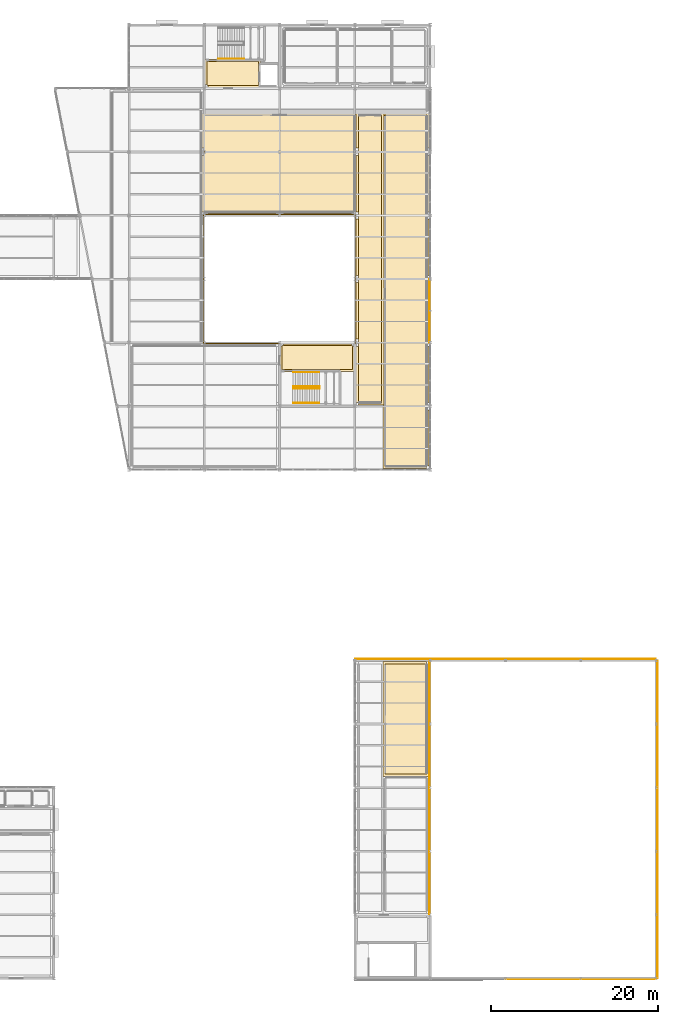
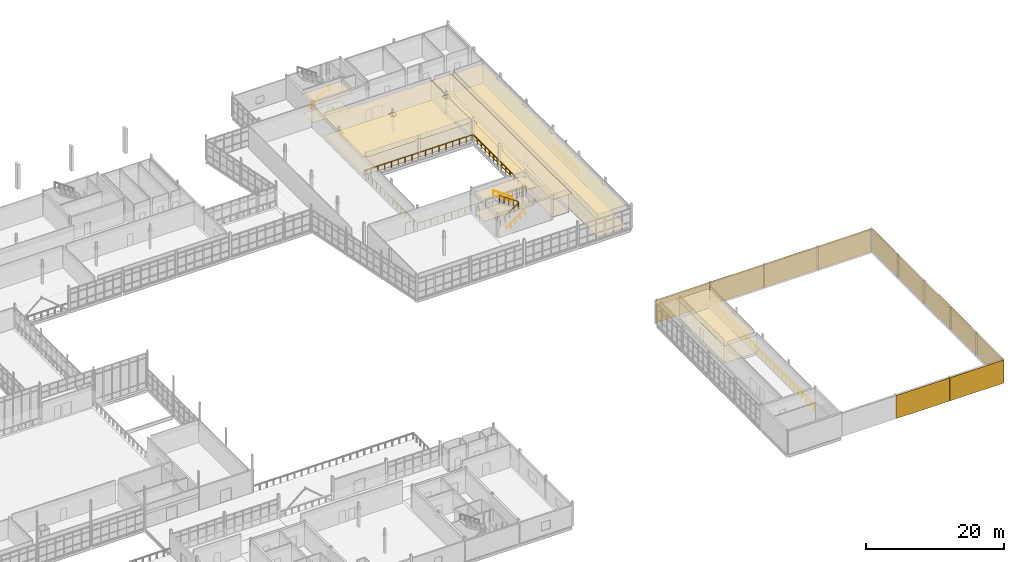
# One storey, part 165 of 166: 23 coverings, 7 railings.
"""IFC4 building model written with IfcOpenShell, lengths in metres."""

from ifc_helpers import new_model, si_unit, direction, frame, origin, origin_2d, place, context, subcontext, project, spatial, polyline, rectangle, circle, outline, extrude, material, layer, layer_set, type_object, element, save


model = new_model("IFC4")

# Units and contexts
model_context = context("Model", 3, precision=1e-05, world=origin(), true_north=direction((0.0, 1.0)))
body_context = subcontext(model_context, "Body", "Model", "MODEL_VIEW")
ifc_project = project(units=[si_unit("LENGTHUNIT", "METRE"), si_unit("AREAUNIT", "SQUARE_METRE"), si_unit("VOLUMEUNIT", "CUBIC_METRE"), si_unit("PLANEANGLEUNIT", "RADIAN"), si_unit("MASSUNIT", "GRAM", prefix="KILO")], contexts=[model_context])

# Site, building, storey
site_placement = place(None, origin())
site = spatial("IfcSite", under=ifc_project, at=site_placement, CompositionType="ELEMENT")
building_placement = place(site_placement, origin())
building = spatial("IfcBuilding", under=site, at=building_placement, Name="Caisbarro Railhouse Central Library", CompositionType="ELEMENT")
storey_placement = place(building_placement, frame((0.0, 0.0, 9.360107421875)))
storey = spatial("IfcBuildingStorey", under=building, at=storey_placement, Name="L02", CompositionType="ELEMENT", Elevation=9.360107421875)

# Coverings
ifc_material_1 = material(Name="Extruded architectural terracotta rainscreen", Category="masonry")
ifc_layer_1 = layer(ifc_material_1, 0.054931640625, Name="Extruded architectural terracotta rainscreen")
ifc_layer_set_1 = layer_set([ifc_layer_1], Name="Extruded architectural terracotta rainscreen")
covering_type_1 = type_object("IfcCoveringType", Name="CLD-TER01", PredefinedType="CLADDING", material=ifc_layer_set_1)
for number, where, z_axis, x_axis, name in (
    (1, (180.17138671875, 3.800048828125, 0.02978515625), (0.0, 0.0, 1.0), (0.0, 1.0, 0.0), "TER01 facade cladding L02-056"),
    (2, (180.17138671875, 11.39990234375, 0.02978515625), (0.0, 0.0, 1.0), (0.0, 1.0, 0.0), "TER01 facade cladding L02-057"),
    (3, (180.17138671875, 19.0, 0.02978515625), (0.0, 0.0, 1.0), (0.0, 1.0, 0.0), "TER01 facade cladding L02-058"),
    (4, (180.17138671875, 26.60009765625, 0.02978515625), (0.0, 0.0, 1.0), (0.0, 1.0, 0.0), "TER01 facade cladding L02-059"),
    (5, (180.17138671875, 34.199951171875, 0.02978515625), (0.0, 0.0, 1.0), (0.0, 1.0, 0.0), "TER01 facade cladding L02-060"),
):
    element("IfcCovering", number, at=place(storey_placement, frame(where, z_axis=z_axis, x_axis=x_axis)), inside=storey, type_object=covering_type_1, Name=name, PredefinedType="CLADDING", context=body_context, shape_type="SweptSolid", body=[
        extrude(rectangle(XDim=7.56005859375, YDim=0.054931640625, at=origin_2d()), origin(), (0.0, 0.0, 1.0), 4.080078125),
    ])
for number, where, z_axis, x_axis, name in (
    (6, (148.5, 38.17138671875, 0.02978515625), (0.0, 0.0, 1.0), (1.0, 0.0, 0.0), "TER01 facade cladding L02-062"),
    (7, (157.5, 38.17138671875, 0.02978515625), (0.0, 0.0, 1.0), (1.0, 0.0, 0.0), "TER01 facade cladding L02-064"),
    (8, (166.5, -0.17138671875, 0.02978515625), (0.0, 0.0, 1.0), (1.0, 0.0, 0.0), "TER01 facade cladding L02-065"),
    (9, (166.5, 38.17138671875, 0.02978515625), (0.0, 0.0, 1.0), (1.0, 0.0, 0.0), "TER01 facade cladding L02-066"),
    (10, (175.5, -0.17138671875, 0.02978515625), (0.0, 0.0, 1.0), (1.0, 0.0, 0.0), "TER01 facade cladding L02-067"),
    (11, (175.5, 38.17138671875, 0.02978515625), (0.0, 0.0, 1.0), (1.0, 0.0, 0.0), "TER01 facade cladding L02-068"),
):
    element("IfcCovering", number, at=place(storey_placement, frame(where, z_axis=z_axis, x_axis=x_axis)), inside=storey, type_object=covering_type_1, Name=name, PredefinedType="CLADDING", context=body_context, shape_type="SweptSolid", body=[
        extrude(rectangle(XDim=8.9599609375, YDim=0.054931640625, at=origin_2d()), origin(), (0.0, 0.0, 1.0), 4.080078125),
    ])
ifc_material_2 = material(Name="Perforated mineral-fibre acoustic ceiling tile")
ifc_layer_2 = layer(ifc_material_2, 0.01806640625, Name="Perforated mineral-fibre acoustic ceiling tile")
ifc_layer_set_2 = layer_set([ifc_layer_2], Name="Perforated mineral-fibre acoustic ceiling tile")
covering_type_2 = type_object("IfcCoveringType", Name="COV-CL01", PredefinedType="CEILING", material=ifc_layer_set_2)
covering_1_placement = place(storey_placement, frame((0.0, 0.0, 3.25)))
element("IfcCovering", 12, at=covering_1_placement, inside=storey, type_object=covering_type_2, Name="CL01 acoustic ceiling Lift Lobby K3", PredefinedType="CEILING", context=body_context, shape_type="SweptSolid", body=[
    extrude(outline(polyline([(126.0400390625, 109.860107421875), (132.7099609375, 109.860107421875), (132.7099609375, 106.489990234375), (126.43994140625, 106.489990234375), (126.43994140625, 106.840087890625), (126.0400390625, 106.840087890625), (126.0400390625, 109.860107421875)])), origin(), (0.0, 0.0, 1.0), 0.017822265625),
])
covering_2_placement = place(storey_placement, frame((0.0, 0.0, 3.25)))
element("IfcCovering", 13, at=covering_2_placement, inside=storey, type_object=covering_type_2, Name="CL01 acoustic ceiling Stair Lobby K7", PredefinedType="CEILING", context=body_context, shape_type="SweptSolid", body=[
    extrude(outline(polyline([(135.43994140625, 75.56005859375), (135.43994140625, 75.909912109375), (143.56005859375, 75.909912109375), (143.56005859375, 75.56005859375), (143.9599609375, 75.56005859375), (143.9599609375, 72.5400390625), (135.0400390625, 72.5400390625), (135.0400390625, 75.56005859375), (135.43994140625, 75.56005859375)])), origin(), (0.0, 0.0, 1.0), 0.017822265625),
])
covering_3_placement = place(storey_placement, frame((0.0, 0.0, 3.25)))
element("IfcCovering", 14, at=covering_3_placement, inside=storey, type_object=covering_type_2, Name="CL01 acoustic ceiling Collaborative Seminar Suite L02", PredefinedType="CEILING", context=body_context, shape_type="SweptSolid", body=[
    extrude(outline(polyline([(134.56005859375, 91.639892578125), (134.56005859375, 91.340087890625), (126.43994140625, 91.340087890625), (126.43994140625, 91.639892578125), (125.739990234375, 91.639892578125), (125.739990234375, 98.360107421875), (126.43994140625, 98.360107421875), (126.43994140625, 99.239990234375), (125.739990234375, 99.239990234375), (125.739990234375, 103.4599609375), (144.260009765625, 103.4599609375), (144.260009765625, 99.239990234375), (143.56005859375, 99.239990234375), (143.56005859375, 98.360107421875), (144.260009765625, 98.360107421875), (144.260009765625, 91.639892578125), (143.56005859375, 91.639892578125), (143.56005859375, 91.340087890625), (135.43994140625, 91.340087890625), (135.43994140625, 91.639892578125), (134.56005859375, 91.639892578125)]), holes=[polyline([(134.56005859375, 98.360107421875), (135.43994140625, 98.360107421875), (135.43994140625, 99.239990234375), (134.56005859375, 99.239990234375), (134.56005859375, 98.360107421875)])]), origin(), (0.0, 0.0, 1.0), 0.017822265625),
])
covering_4_placement = place(storey_placement, frame((0.0, 0.0, 3.25)))
element("IfcCovering", 15, at=covering_4_placement, inside=storey, type_object=covering_type_2, Name="CL01 acoustic ceiling Atrium East Corridor L02", PredefinedType="CEILING", context=body_context, shape_type="SweptSolid", body=[
    extrude(outline(polyline([(144.43994140625, 68.840087890625), (144.139892578125, 68.840087890625), (144.139892578125, 75.56005859375), (144.43994140625, 75.56005859375), (144.43994140625, 76.43994140625), (144.139892578125, 76.43994140625), (144.139892578125, 83.159912109375), (144.43994140625, 83.159912109375), (144.43994140625, 84.0400390625), (144.139892578125, 84.0400390625), (144.139892578125, 90.760009765625), (144.43994140625, 90.760009765625), (144.43994140625, 91.639892578125), (144.139892578125, 91.639892578125), (144.139892578125, 98.360107421875), (144.43994140625, 98.360107421875), (144.43994140625, 99.239990234375), (144.139892578125, 99.239990234375), (144.139892578125, 103.4599609375), (147.4599609375, 103.4599609375), (147.4599609375, 68.5400390625), (144.43994140625, 68.5400390625), (144.43994140625, 68.840087890625)])), origin(), (0.0, 0.0, 1.0), 0.017822265625),
])
covering_5_placement = place(storey_placement, frame((0.0, 0.0, 3.25)))
element("IfcCovering", 16, at=covering_5_placement, inside=storey, type_object=covering_type_2, Name="CL01 acoustic ceiling Individual Research Carrels L02", PredefinedType="CEILING", context=body_context, shape_type="SweptSolid", body=[
    extrude(outline(polyline([(152.860107421875, 75.56005859375), (152.860107421875, 68.840087890625), (152.56005859375, 68.840087890625), (152.56005859375, 67.9599609375), (152.860107421875, 67.9599609375), (152.860107421875, 61.239990234375), (152.56005859375, 61.239990234375), (152.56005859375, 60.93994140625), (147.340087890625, 60.93994140625), (147.340087890625, 103.4599609375), (152.860107421875, 103.4599609375), (152.860107421875, 99.239990234375), (152.56005859375, 99.239990234375), (152.56005859375, 98.360107421875), (152.860107421875, 98.360107421875), (152.860107421875, 91.639892578125), (152.56005859375, 91.639892578125), (152.56005859375, 90.760009765625), (152.860107421875, 90.760009765625), (152.860107421875, 84.0400390625), (152.56005859375, 84.0400390625), (152.56005859375, 83.159912109375), (152.860107421875, 83.159912109375), (152.860107421875, 76.43994140625), (152.56005859375, 76.43994140625), (152.56005859375, 75.56005859375), (152.860107421875, 75.56005859375)])), origin(), (0.0, 0.0, 1.0), 0.017822265625),
])
covering_6_placement = place(storey_placement, frame((0.0, 0.0, 3.25)))
element("IfcCovering", 17, at=covering_6_placement, inside=storey, type_object=covering_type_2, Name="CL01 acoustic ceiling Stage Lighting and Acoustic Control Room", PredefinedType="CEILING", context=body_context, shape_type="SweptSolid", body=[
    extrude(outline(polyline([(152.56005859375, 37.860107421875), (152.56005859375, 37.56005859375), (152.860107421875, 37.56005859375), (152.860107421875, 30.840087890625), (152.56005859375, 30.840087890625), (152.56005859375, 29.9599609375), (152.860107421875, 29.9599609375), (152.860107421875, 24.139892578125), (147.340087890625, 24.139892578125), (147.340087890625, 37.860107421875), (152.56005859375, 37.860107421875)])), origin(), (0.0, 0.0, 1.0), 0.017822265625),
])
ifc_material_3 = material(Name="Polished cementitious terrazzo flooring")
ifc_layer_3 = layer(ifc_material_3, 0.02197265625, Name="Polished cementitious terrazzo flooring")
ifc_layer_set_3 = layer_set([ifc_layer_3], Name="Polished cementitious terrazzo flooring")
covering_type_3 = type_object("IfcCoveringType", Name="COV-FL01", PredefinedType="FLOORING", material=ifc_layer_set_3)
covering_7_placement = place(storey_placement, origin())
element("IfcCovering", 18, at=covering_7_placement, inside=storey, type_object=covering_type_3, Name="FL01 flooring Lift Lobby K3", PredefinedType="FLOORING", context=body_context, shape_type="SweptSolid", body=[
    extrude(outline(polyline([(126.300048828125, 106.75), (132.449951171875, 106.75), (132.449951171875, 109.60009765625), (126.300048828125, 109.60009765625), (126.300048828125, 106.75)])), origin(), (0.0, 0.0, 1.0), 0.02197265625),
])
covering_8_placement = place(storey_placement, origin())
element("IfcCovering", 19, at=covering_8_placement, inside=storey, type_object=covering_type_3, Name="FL01 flooring Stair Lobby K7", PredefinedType="FLOORING", context=body_context, shape_type="SweptSolid", body=[
    extrude(outline(polyline([(135.300048828125, 72.800048828125), (143.699951171875, 72.800048828125), (143.699951171875, 75.64990234375), (135.300048828125, 75.64990234375), (135.300048828125, 72.800048828125)])), origin(), (0.0, 0.0, 1.0), 0.02197265625),
])
covering_9_placement = place(storey_placement, origin())
element("IfcCovering", 20, at=covering_9_placement, inside=storey, type_object=covering_type_3, Name="FL01 flooring Atrium East Corridor L02", PredefinedType="FLOORING", context=body_context, shape_type="SweptSolid", body=[
    extrude(outline(polyline([(144.39990234375, 68.800048828125), (147.199951171875, 68.800048828125), (147.199951171875, 103.199951171875), (144.39990234375, 103.199951171875), (144.39990234375, 68.800048828125)])), origin(), (0.0, 0.0, 1.0), 0.02197265625),
])
ifc_material_4 = material(Name="Heavy-duty acoustic linoleum flooring")
ifc_layer_4 = layer(ifc_material_4, 0.011962890625, Name="Heavy-duty acoustic linoleum flooring")
ifc_layer_set_4 = layer_set([ifc_layer_4], Name="Heavy-duty acoustic linoleum flooring")
covering_type_4 = type_object("IfcCoveringType", Name="COV-FL02", PredefinedType="FLOORING", material=ifc_layer_set_4)
covering_10_placement = place(storey_placement, origin())
element("IfcCovering", 21, at=covering_10_placement, inside=storey, type_object=covering_type_4, Name="FL02 flooring Collaborative Seminar Suite L02", PredefinedType="FLOORING", context=body_context, shape_type="SweptSolid", body=[
    extrude(outline(polyline([(126.0, 91.60009765625), (144.0, 91.60009765625), (144.0, 103.199951171875), (126.0, 103.199951171875), (126.0, 91.60009765625)])), origin(), (0.0, 0.0, 1.0), 0.011962890625),
])
covering_11_placement = place(storey_placement, origin())
element("IfcCovering", 22, at=covering_11_placement, inside=storey, type_object=covering_type_4, Name="FL02 flooring Individual Research Carrels L02", PredefinedType="FLOORING", context=body_context, shape_type="SweptSolid", body=[
    extrude(outline(polyline([(147.60009765625, 61.199951171875), (152.60009765625, 61.199951171875), (152.60009765625, 103.199951171875), (147.60009765625, 103.199951171875), (147.60009765625, 61.199951171875)])), origin(), (0.0, 0.0, 1.0), 0.011962890625),
])
covering_12_placement = place(storey_placement, origin())
element("IfcCovering", 23, at=covering_12_placement, inside=storey, type_object=covering_type_4, Name="FL02 flooring Stage Lighting and Acoustic Control Room", PredefinedType="FLOORING", context=body_context, shape_type="SweptSolid", body=[
    extrude(outline(polyline([(147.60009765625, 24.39990234375), (152.60009765625, 24.39990234375), (152.60009765625, 37.60009765625), (147.60009765625, 37.60009765625), (147.60009765625, 24.39990234375)])), origin(), (0.0, 0.0, 1.0), 0.011962890625),
])

# Railings
ifc_material_5 = material(Name="Laminated safety glass balustrade with stainless top rail", Category="glass")
railing_type_1 = type_object("IfcRailingType", Name="RLG-ATR112", PredefinedType="GUARDRAIL", material=ifc_material_5)
railing_1_placement = place(storey_placement, frame((125.89990234375, 75.89990234375, 0.0)))
element("IfcRailing", 24, at=railing_1_placement, inside=storey, type_object=railing_type_1, Name="RG02 Interior Void Balustrade L02-02", PredefinedType="GUARDRAIL", context=body_context, shape_type="SweptSolid", body=[
    extrude(circle(Radius=0.02392578125, at=origin_2d()), frame((0.0, 0.0, 1.09619140625), z_axis=(1.0, 0.0, 0.0), x_axis=(0.0, 1.0, 0.0)), (0.0, 0.0, 1.0), 18.2001953125),
    extrude(circle(Radius=0.02392578125, at=origin_2d()), frame((18.2001953125, 0.0, 1.09619140625), z_axis=(0.0, 1.0, 0.0), x_axis=(-1.0, 0.0, 0.0)), (0.0, 0.0, 1.0), 15.400146484375),
    extrude(circle(Radius=0.02392578125, at=origin_2d()), frame((18.2001953125, 15.400146484375, 1.09619140625), z_axis=(-1.0, 0.0, 0.0), x_axis=(0.0, -1.0, 0.0)), (0.0, 0.0, 1.0), 18.2001953125),
    extrude(circle(Radius=0.02392578125, at=origin_2d()), frame((0.0, 15.400146484375, 1.09619140625), z_axis=(0.0, -1.0, 0.0), x_axis=(1.0, 0.0, 0.0)), (0.0, 0.0, 1.0), 15.400146484375),
    extrude(circle(Radius=0.02099609375, at=origin_2d()), origin(), (0.0, 0.0, 1.0), 1.072021484375),
    extrude(circle(Radius=0.02099609375, at=origin_2d()), frame((1.137451171875, 0.0, 0.0)), (0.0, 0.0, 1.0), 1.072021484375),
    extrude(circle(Radius=0.02099609375, at=origin_2d()), frame((2.27490234375, 0.0, 0.0)), (0.0, 0.0, 1.0), 1.072021484375),
    extrude(circle(Radius=0.02099609375, at=origin_2d()), frame((3.41259765625, 0.0, 0.0)), (0.0, 0.0, 1.0), 1.072021484375),
    extrude(circle(Radius=0.02099609375, at=origin_2d()), frame((4.550048828125, 0.0, 0.0)), (0.0, 0.0, 1.0), 1.072021484375),
    extrude(circle(Radius=0.02099609375, at=origin_2d()), frame((5.6875, 0.0, 0.0)), (0.0, 0.0, 1.0), 1.072021484375),
    extrude(circle(Radius=0.02099609375, at=origin_2d()), frame((6.8251953125, 0.0, 0.0)), (0.0, 0.0, 1.0), 1.072021484375),
    extrude(circle(Radius=0.02099609375, at=origin_2d()), frame((7.962646484375, 0.0, 0.0)), (0.0, 0.0, 1.0), 1.072021484375),
    extrude(circle(Radius=0.02099609375, at=origin_2d()), frame((9.10009765625, 0.0, 0.0)), (0.0, 0.0, 1.0), 1.072021484375),
    extrude(circle(Radius=0.02099609375, at=origin_2d()), frame((10.237548828125, 0.0, 0.0)), (0.0, 0.0, 1.0), 1.072021484375),
    extrude(circle(Radius=0.02099609375, at=origin_2d()), frame((11.375, 0.0, 0.0)), (0.0, 0.0, 1.0), 1.072021484375),
    extrude(circle(Radius=0.02099609375, at=origin_2d()), frame((12.5126953125, 0.0, 0.0)), (0.0, 0.0, 1.0), 1.072021484375),
    extrude(circle(Radius=0.02099609375, at=origin_2d()), frame((13.650146484375, 0.0, 0.0)), (0.0, 0.0, 1.0), 1.072021484375),
    extrude(circle(Radius=0.02099609375, at=origin_2d()), frame((14.78759765625, 0.0, 0.0)), (0.0, 0.0, 1.0), 1.072021484375),
    extrude(circle(Radius=0.02099609375, at=origin_2d()), frame((15.92529296875, 0.0, 0.0)), (0.0, 0.0, 1.0), 1.072021484375),
    extrude(circle(Radius=0.02099609375, at=origin_2d()), frame((17.062744140625, 0.0, 0.0)), (0.0, 0.0, 1.0), 1.072021484375),
    extrude(circle(Radius=0.02099609375, at=origin_2d()), frame((18.2001953125, 0.0, 0.0)), (0.0, 0.0, 1.0), 1.072021484375),
    extrude(circle(Radius=0.02099609375, at=origin_2d()), frame((18.2001953125, 1.1845703125, 0.0)), (0.0, 0.0, 1.0), 1.072021484375),
    extrude(circle(Radius=0.02099609375, at=origin_2d()), frame((18.2001953125, 2.369140625, 0.0)), (0.0, 0.0, 1.0), 1.072021484375),
    extrude(circle(Radius=0.02099609375, at=origin_2d()), frame((18.2001953125, 3.553955078125, 0.0)), (0.0, 0.0, 1.0), 1.072021484375),
    extrude(circle(Radius=0.02099609375, at=origin_2d()), frame((18.2001953125, 4.738525390625, 0.0)), (0.0, 0.0, 1.0), 1.072021484375),
    extrude(circle(Radius=0.02099609375, at=origin_2d()), frame((18.2001953125, 5.923095703125, 0.0)), (0.0, 0.0, 1.0), 1.072021484375),
    extrude(circle(Radius=0.02099609375, at=origin_2d()), frame((18.2001953125, 7.107666015625, 0.0)), (0.0, 0.0, 1.0), 1.072021484375),
    extrude(circle(Radius=0.02099609375, at=origin_2d()), frame((18.2001953125, 8.29248046875, 0.0)), (0.0, 0.0, 1.0), 1.072021484375),
    extrude(circle(Radius=0.02099609375, at=origin_2d()), frame((18.2001953125, 9.47705078125, 0.0)), (0.0, 0.0, 1.0), 1.072021484375),
    extrude(circle(Radius=0.02099609375, at=origin_2d()), frame((18.2001953125, 10.66162109375, 0.0)), (0.0, 0.0, 1.0), 1.072021484375),
    extrude(circle(Radius=0.02099609375, at=origin_2d()), frame((18.2001953125, 11.84619140625, 0.0)), (0.0, 0.0, 1.0), 1.072021484375),
    extrude(circle(Radius=0.02099609375, at=origin_2d()), frame((18.2001953125, 13.031005859375, 0.0)), (0.0, 0.0, 1.0), 1.072021484375),
    extrude(circle(Radius=0.02099609375, at=origin_2d()), frame((18.2001953125, 14.215576171875, 0.0)), (0.0, 0.0, 1.0), 1.072021484375),
    extrude(circle(Radius=0.02099609375, at=origin_2d()), frame((18.2001953125, 15.400146484375, 0.0)), (0.0, 0.0, 1.0), 1.072021484375),
    extrude(circle(Radius=0.02099609375, at=origin_2d()), frame((17.062744140625, 15.400146484375, 0.0)), (0.0, 0.0, 1.0), 1.072021484375),
    extrude(circle(Radius=0.02099609375, at=origin_2d()), frame((15.92529296875, 15.400146484375, 0.0)), (0.0, 0.0, 1.0), 1.072021484375),
    extrude(circle(Radius=0.02099609375, at=origin_2d()), frame((14.78759765625, 15.400146484375, 0.0)), (0.0, 0.0, 1.0), 1.072021484375),
    extrude(circle(Radius=0.02099609375, at=origin_2d()), frame((13.650146484375, 15.400146484375, 0.0)), (0.0, 0.0, 1.0), 1.072021484375),
    extrude(circle(Radius=0.02099609375, at=origin_2d()), frame((12.5126953125, 15.400146484375, 0.0)), (0.0, 0.0, 1.0), 1.072021484375),
    extrude(circle(Radius=0.02099609375, at=origin_2d()), frame((11.375, 15.400146484375, 0.0)), (0.0, 0.0, 1.0), 1.072021484375),
    extrude(circle(Radius=0.02099609375, at=origin_2d()), frame((10.237548828125, 15.400146484375, 0.0)), (0.0, 0.0, 1.0), 1.072021484375),
    extrude(circle(Radius=0.02099609375, at=origin_2d()), frame((9.10009765625, 15.400146484375, 0.0)), (0.0, 0.0, 1.0), 1.072021484375),
    extrude(circle(Radius=0.02099609375, at=origin_2d()), frame((7.962646484375, 15.400146484375, 0.0)), (0.0, 0.0, 1.0), 1.072021484375),
    extrude(circle(Radius=0.02099609375, at=origin_2d()), frame((6.8251953125, 15.400146484375, 0.0)), (0.0, 0.0, 1.0), 1.072021484375),
    extrude(circle(Radius=0.02099609375, at=origin_2d()), frame((5.6875, 15.400146484375, 0.0)), (0.0, 0.0, 1.0), 1.072021484375),
    extrude(circle(Radius=0.02099609375, at=origin_2d()), frame((4.550048828125, 15.400146484375, 0.0)), (0.0, 0.0, 1.0), 1.072021484375),
    extrude(circle(Radius=0.02099609375, at=origin_2d()), frame((3.41259765625, 15.400146484375, 0.0)), (0.0, 0.0, 1.0), 1.072021484375),
    extrude(circle(Radius=0.02099609375, at=origin_2d()), frame((2.27490234375, 15.400146484375, 0.0)), (0.0, 0.0, 1.0), 1.072021484375),
    extrude(circle(Radius=0.02099609375, at=origin_2d()), frame((1.137451171875, 15.400146484375, 0.0)), (0.0, 0.0, 1.0), 1.072021484375),
    extrude(circle(Radius=0.02099609375, at=origin_2d()), frame((0.0, 15.400146484375, 0.0)), (0.0, 0.0, 1.0), 1.072021484375),
    extrude(circle(Radius=0.02099609375, at=origin_2d()), frame((0.0, 14.215576171875, 0.0)), (0.0, 0.0, 1.0), 1.072021484375),
    extrude(circle(Radius=0.02099609375, at=origin_2d()), frame((0.0, 13.031005859375, 0.0)), (0.0, 0.0, 1.0), 1.072021484375),
    extrude(circle(Radius=0.02099609375, at=origin_2d()), frame((0.0, 11.84619140625, 0.0)), (0.0, 0.0, 1.0), 1.072021484375),
    extrude(circle(Radius=0.02099609375, at=origin_2d()), frame((0.0, 10.66162109375, 0.0)), (0.0, 0.0, 1.0), 1.072021484375),
    extrude(circle(Radius=0.02099609375, at=origin_2d()), frame((0.0, 9.47705078125, 0.0)), (0.0, 0.0, 1.0), 1.072021484375),
    extrude(circle(Radius=0.02099609375, at=origin_2d()), frame((0.0, 8.29248046875, 0.0)), (0.0, 0.0, 1.0), 1.072021484375),
    extrude(circle(Radius=0.02099609375, at=origin_2d()), frame((0.0, 7.107666015625, 0.0)), (0.0, 0.0, 1.0), 1.072021484375),
    extrude(circle(Radius=0.02099609375, at=origin_2d()), frame((0.0, 5.923095703125, 0.0)), (0.0, 0.0, 1.0), 1.072021484375),
    extrude(circle(Radius=0.02099609375, at=origin_2d()), frame((0.0, 4.738525390625, 0.0)), (0.0, 0.0, 1.0), 1.072021484375),
    extrude(circle(Radius=0.02099609375, at=origin_2d()), frame((0.0, 3.553955078125, 0.0)), (0.0, 0.0, 1.0), 1.072021484375),
    extrude(circle(Radius=0.02099609375, at=origin_2d()), frame((0.0, 2.369140625, 0.0)), (0.0, 0.0, 1.0), 1.072021484375),
    extrude(circle(Radius=0.02099609375, at=origin_2d()), frame((0.0, 1.1845703125, 0.0)), (0.0, 0.0, 1.0), 1.072021484375),
])
railing_2_placement = place(storey_placement, frame((152.89990234375, 7.699951171875, 0.0)))
element("IfcRailing", 25, at=railing_2_placement, inside=storey, type_object=railing_type_1, Name="RG02 Interior Void Balustrade L02-11", PredefinedType="GUARDRAIL", context=body_context, shape_type="SweptSolid", body=[
    extrude(circle(Radius=0.02392578125, at=origin_2d()), frame((0.0, 0.0, 1.09619140625), z_axis=(0.0, 1.0, 0.0), x_axis=(-1.0, 0.0, 0.0)), (0.0, 0.0, 1.0), 30.10009765625),
    extrude(circle(Radius=0.02099609375, at=origin_2d()), origin(), (0.0, 0.0, 1.0), 1.072021484375),
    extrude(circle(Radius=0.02099609375, at=origin_2d()), frame((0.0, 1.15771484375, 0.0)), (0.0, 0.0, 1.0), 1.072021484375),
    extrude(circle(Radius=0.02099609375, at=origin_2d()), frame((0.0, 2.3154296875, 0.0)), (0.0, 0.0, 1.0), 1.072021484375),
    extrude(circle(Radius=0.02099609375, at=origin_2d()), frame((0.0, 3.47314453125, 0.0)), (0.0, 0.0, 1.0), 1.072021484375),
    extrude(circle(Radius=0.02099609375, at=origin_2d()), frame((0.0, 4.630859375, 0.0)), (0.0, 0.0, 1.0), 1.072021484375),
    extrude(circle(Radius=0.02099609375, at=origin_2d()), frame((0.0, 5.78857421875, 0.0)), (0.0, 0.0, 1.0), 1.072021484375),
    extrude(circle(Radius=0.02099609375, at=origin_2d()), frame((0.0, 6.9462890625, 0.0)), (0.0, 0.0, 1.0), 1.072021484375),
    extrude(circle(Radius=0.02099609375, at=origin_2d()), frame((0.0, 8.103759765625, 0.0)), (0.0, 0.0, 1.0), 1.072021484375),
    extrude(circle(Radius=0.02099609375, at=origin_2d()), frame((0.0, 9.261474609375, 0.0)), (0.0, 0.0, 1.0), 1.072021484375),
    extrude(circle(Radius=0.02099609375, at=origin_2d()), frame((0.0, 10.419189453125, 0.0)), (0.0, 0.0, 1.0), 1.072021484375),
    extrude(circle(Radius=0.02099609375, at=origin_2d()), frame((0.0, 11.576904296875, 0.0)), (0.0, 0.0, 1.0), 1.072021484375),
    extrude(circle(Radius=0.02099609375, at=origin_2d()), frame((0.0, 12.734619140625, 0.0)), (0.0, 0.0, 1.0), 1.072021484375),
    extrude(circle(Radius=0.02099609375, at=origin_2d()), frame((0.0, 13.892333984375, 0.0)), (0.0, 0.0, 1.0), 1.072021484375),
    extrude(circle(Radius=0.02099609375, at=origin_2d()), frame((0.0, 15.050048828125, 0.0)), (0.0, 0.0, 1.0), 1.072021484375),
    extrude(circle(Radius=0.02099609375, at=origin_2d()), frame((0.0, 16.207763671875, 0.0)), (0.0, 0.0, 1.0), 1.072021484375),
    extrude(circle(Radius=0.02099609375, at=origin_2d()), frame((0.0, 17.365478515625, 0.0)), (0.0, 0.0, 1.0), 1.072021484375),
    extrude(circle(Radius=0.02099609375, at=origin_2d()), frame((0.0, 18.523193359375, 0.0)), (0.0, 0.0, 1.0), 1.072021484375),
    extrude(circle(Radius=0.02099609375, at=origin_2d()), frame((0.0, 19.680908203125, 0.0)), (0.0, 0.0, 1.0), 1.072021484375),
    extrude(circle(Radius=0.02099609375, at=origin_2d()), frame((0.0, 20.838623046875, 0.0)), (0.0, 0.0, 1.0), 1.072021484375),
    extrude(circle(Radius=0.02099609375, at=origin_2d()), frame((0.0, 21.996337890625, 0.0)), (0.0, 0.0, 1.0), 1.072021484375),
    extrude(circle(Radius=0.02099609375, at=origin_2d()), frame((0.0, 23.15380859375, 0.0)), (0.0, 0.0, 1.0), 1.072021484375),
    extrude(circle(Radius=0.02099609375, at=origin_2d()), frame((0.0, 24.3115234375, 0.0)), (0.0, 0.0, 1.0), 1.072021484375),
    extrude(circle(Radius=0.02099609375, at=origin_2d()), frame((0.0, 25.46923828125, 0.0)), (0.0, 0.0, 1.0), 1.072021484375),
    extrude(circle(Radius=0.02099609375, at=origin_2d()), frame((0.0, 26.626953125, 0.0)), (0.0, 0.0, 1.0), 1.072021484375),
    extrude(circle(Radius=0.02099609375, at=origin_2d()), frame((0.0, 27.78466796875, 0.0)), (0.0, 0.0, 1.0), 1.072021484375),
    extrude(circle(Radius=0.02099609375, at=origin_2d()), frame((0.0, 28.9423828125, 0.0)), (0.0, 0.0, 1.0), 1.072021484375),
    extrude(circle(Radius=0.02099609375, at=origin_2d()), frame((0.0, 30.10009765625, 0.0)), (0.0, 0.0, 1.0), 1.072021484375),
])
railing_3_placement = place(storey_placement, frame((152.89990234375, 76.0, 0.0)))
element("IfcRailing", 26, at=railing_3_placement, inside=storey, type_object=railing_type_1, Name="RG02 Interior Void Balustrade L02-32", PredefinedType="GUARDRAIL", context=body_context, shape_type="SweptSolid", body=[
    extrude(circle(Radius=0.02392578125, at=origin_2d()), frame((0.0, 0.0, 1.09619140625), z_axis=(0.0, 1.0, 0.0), x_axis=(-1.0, 0.0, 0.0)), (0.0, 0.0, 1.0), 7.60009765625),
    extrude(circle(Radius=0.02099609375, at=origin_2d()), origin(), (0.0, 0.0, 1.0), 1.072021484375),
    extrude(circle(Radius=0.02099609375, at=origin_2d()), frame((0.0, 1.085693359375, 0.0)), (0.0, 0.0, 1.0), 1.072021484375),
    extrude(circle(Radius=0.02099609375, at=origin_2d()), frame((0.0, 2.17138671875, 0.0)), (0.0, 0.0, 1.0), 1.072021484375),
    extrude(circle(Radius=0.02099609375, at=origin_2d()), frame((0.0, 3.257080078125, 0.0)), (0.0, 0.0, 1.0), 1.072021484375),
    extrude(circle(Radius=0.02099609375, at=origin_2d()), frame((0.0, 4.343017578125, 0.0)), (0.0, 0.0, 1.0), 1.072021484375),
    extrude(circle(Radius=0.02099609375, at=origin_2d()), frame((0.0, 5.4287109375, 0.0)), (0.0, 0.0, 1.0), 1.072021484375),
    extrude(circle(Radius=0.02099609375, at=origin_2d()), frame((0.0, 6.514404296875, 0.0)), (0.0, 0.0, 1.0), 1.072021484375),
    extrude(circle(Radius=0.02099609375, at=origin_2d()), frame((0.0, 7.60009765625, 0.0)), (0.0, 0.0, 1.0), 1.072021484375),
])
ifc_material_6 = material(Name="Brushed stainless steel Grade 316", Category="steel")
railing_type_2 = type_object("IfcRailingType", Name="RLG-STR092", PredefinedType="HANDRAIL", material=ifc_material_6)
for number, where, name in (
    (27, (127.64990234375, 109.93994140625, 0.0), "Stair ST-03 Outer Handrail F1 L02"),
    (28, (136.64990234375, 68.7900390625, 0.0), "Stair ST-07 Outer Handrail F1 L02"),
):
    element("IfcRailing", number, at=place(storey_placement, frame(where)), inside=storey, type_object=railing_type_2, Name=name, PredefinedType="HANDRAIL", context=body_context, shape_type="SweptSolid", body=[
        extrude(circle(Radius=0.02392578125, at=origin_2d()), frame((0.0, 0.0, 0.89599609375), z_axis=(0.819624179701, 0.0, 0.572901565759), x_axis=(0.0, 1.0, 0.0)), (0.0, 0.0, 1.0), 3.77001953125),
        extrude(circle(Radius=0.02099609375, at=origin_2d()), origin(), (0.0, 0.0, 1.0), 0.871826171875),
        extrude(circle(Radius=0.02099609375, at=origin_2d()), frame((0.7724609375, 0.0, 0.5400390625)), (0.0, 0.0, 1.0), 0.871826171875),
        extrude(circle(Radius=0.02099609375, at=origin_2d()), frame((1.544921875, 0.0, 1.080078125)), (0.0, 0.0, 1.0), 0.871826171875),
        extrude(circle(Radius=0.02099609375, at=origin_2d()), frame((2.317626953125, 0.0, 1.619873046875)), (0.0, 0.0, 1.0), 0.871826171875),
        extrude(circle(Radius=0.02099609375, at=origin_2d()), frame((3.090087890625, 0.0, 2.159912109375)), (0.0, 0.0, 1.0), 0.871826171875),
    ])
railing_4_placement = place(storey_placement, frame((139.739990234375, 72.4599609375, 2.159912109375)))
element("IfcRailing", 29, at=railing_4_placement, inside=storey, type_object=railing_type_2, Name="Stair ST-07 Outer Handrail F2 L02", PredefinedType="HANDRAIL", context=body_context, shape_type="SweptSolid", body=[
    extrude(circle(Radius=0.02392578125, at=origin_2d()), frame((0.0, 0.0, 0.89599609375), z_axis=(-0.819624179701, 0.0, 0.572901565759), x_axis=(0.0, -1.0, 0.0)), (0.0, 0.0, 1.0), 3.77001953125),
    extrude(circle(Radius=0.02099609375, at=origin_2d()), origin(), (0.0, 0.0, 1.0), 0.871826171875),
    extrude(circle(Radius=0.02099609375, at=origin_2d()), frame((-0.7724609375, 0.0, 0.5400390625)), (0.0, 0.0, 1.0), 0.871826171875),
    extrude(circle(Radius=0.02099609375, at=origin_2d()), frame((-1.544921875, 0.0, 1.080078125)), (0.0, 0.0, 1.0), 0.871826171875),
    extrude(circle(Radius=0.02099609375, at=origin_2d()), frame((-2.317626953125, 0.0, 1.619873046875)), (0.0, 0.0, 1.0), 0.871826171875),
    extrude(circle(Radius=0.02099609375, at=origin_2d()), frame((-3.090087890625, 0.0, 2.159912109375)), (0.0, 0.0, 1.0), 0.871826171875),
])
railing_type_3 = type_object("IfcRailingType", Name="RLG-STR110", PredefinedType="GUARDRAIL", material=ifc_material_6)
railing_5_placement = place(storey_placement, frame((136.64990234375, 70.489990234375, 0.0)))
element("IfcRailing", 30, at=railing_5_placement, inside=storey, type_object=railing_type_3, Name="Stair ST-07 Inner Well Guardrail L02", PredefinedType="GUARDRAIL", context=body_context, shape_type="SweptSolid", body=[
    extrude(circle(Radius=0.02392578125, at=origin_2d()), frame((0.0, 0.0, 1.076171875), z_axis=(0.819624179701, 0.0, 0.572901565759), x_axis=(0.0, 1.0, 0.0)), (0.0, 0.0, 1.0), 3.77001953125),
    extrude(circle(Radius=0.02392578125, at=origin_2d()), frame((3.090087890625, 0.0, 3.23583984375), z_axis=(0.0, 1.0, 0.0), x_axis=(-1.0, 0.0, 0.0)), (0.0, 0.0, 1.0), 0.27001953125),
    extrude(circle(Radius=0.02392578125, at=origin_2d()), frame((3.090087890625, 0.27001953125, 3.23583984375), z_axis=(-0.819624179701, 0.0, 0.572901565759), x_axis=(0.0, -1.0, 0.0)), (0.0, 0.0, 1.0), 3.77001953125),
    extrude(circle(Radius=0.02099609375, at=origin_2d()), origin(), (0.0, 0.0, 1.0), 1.052001953125),
    extrude(circle(Radius=0.02099609375, at=origin_2d()), frame((0.7724609375, 0.0, 0.5400390625)), (0.0, 0.0, 1.0), 1.052001953125),
    extrude(circle(Radius=0.02099609375, at=origin_2d()), frame((1.544921875, 0.0, 1.080078125)), (0.0, 0.0, 1.0), 1.052001953125),
    extrude(circle(Radius=0.02099609375, at=origin_2d()), frame((2.317626953125, 0.0, 1.619873046875)), (0.0, 0.0, 1.0), 1.052001953125),
    extrude(circle(Radius=0.02099609375, at=origin_2d()), frame((3.090087890625, 0.0, 2.159912109375)), (0.0, 0.0, 1.0), 1.052001953125),
    extrude(circle(Radius=0.02099609375, at=origin_2d()), frame((3.090087890625, 0.27001953125, 2.159912109375)), (0.0, 0.0, 1.0), 1.052001953125),
    extrude(circle(Radius=0.02099609375, at=origin_2d()), frame((2.317626953125, 0.27001953125, 2.699951171875)), (0.0, 0.0, 1.0), 1.052001953125),
    extrude(circle(Radius=0.02099609375, at=origin_2d()), frame((1.544921875, 0.27001953125, 3.23974609375)), (0.0, 0.0, 1.0), 1.052001953125),
    extrude(circle(Radius=0.02099609375, at=origin_2d()), frame((0.7724609375, 0.27001953125, 3.77978515625)), (0.0, 0.0, 1.0), 1.052001953125),
    extrude(circle(Radius=0.02099609375, at=origin_2d()), frame((0.0, 0.27001953125, 4.31982421875)), (0.0, 0.0, 1.0), 1.052001953125),
])

save(model, "model.ifc")
